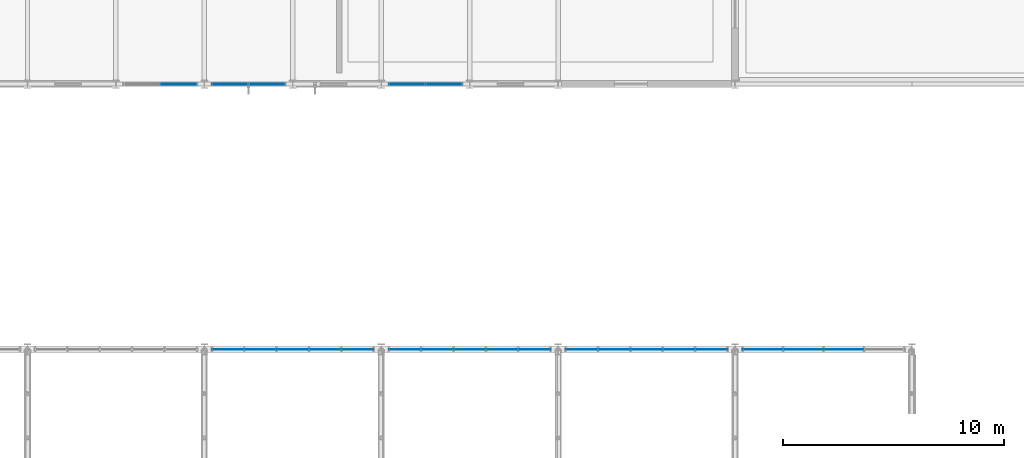
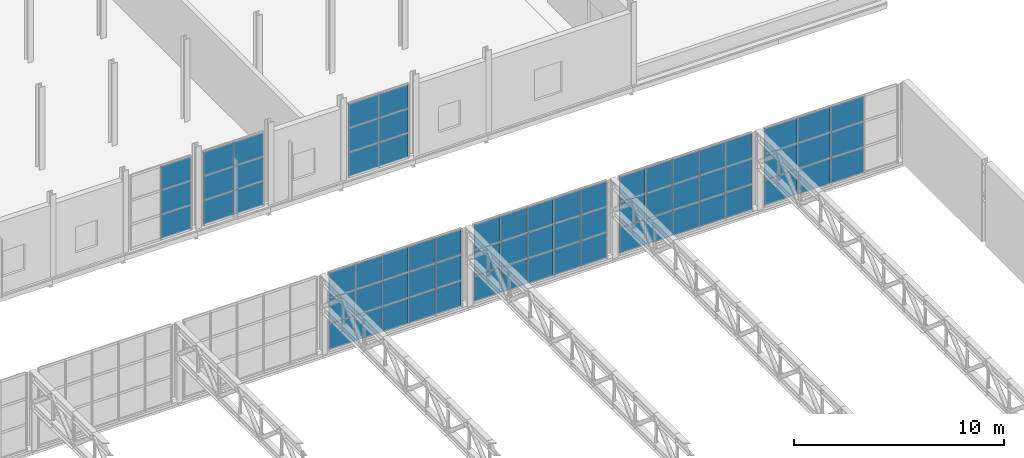
# One storey, part 116 of 143: 69 plates, 7 elements without a shape of their own.
"""IFC4 building model written with IfcOpenShell, lengths in metres."""

from ifc_helpers import new_model, si_unit, derived_unit, direction, frame, origin, origin_2d, place, context, subcontext, project, spatial, rectangle, extrude, material, layer, layer_set, type_object, element, aggregate, save


model = new_model("IFC4")

# Units and contexts
model_context = context("Model", 3, precision=1e-05, world=origin(), true_north=direction((0.0, 1.0)))
body_context = subcontext(model_context, "Body", "Model", "MODEL_VIEW")
ifc_project = project(units=[si_unit("LENGTHUNIT", "METRE"), si_unit("AREAUNIT", "SQUARE_METRE"), si_unit("VOLUMEUNIT", "CUBIC_METRE"), si_unit("PLANEANGLEUNIT", "RADIAN"), si_unit("MASSUNIT", "GRAM", prefix="KILO"), derived_unit("THERMALTRANSMITTANCEUNIT", [(si_unit("POWERUNIT", "WATT"), 1), (si_unit("LENGTHUNIT", "METRE"), -2), (si_unit("THERMODYNAMICTEMPERATUREUNIT", "KELVIN"), -1)])], contexts=[model_context])

# Site, building, storey
site_placement = place(None, origin())
site = spatial("IfcSite", under=ifc_project, at=site_placement, CompositionType="ELEMENT")
building_placement = place(site_placement, origin())
building = spatial("IfcBuilding", under=site, at=building_placement, Name="Keldorne Ridge Multi-Sports Centre", CompositionType="ELEMENT")
storey_placement = place(building_placement, frame((0.0, 0.0, 4.800048828125)))
storey = spatial("IfcBuildingStorey", under=building, at=storey_placement, Name="L01", CompositionType="ELEMENT", Elevation=4.800048828125)

# Curtain wall, plates
ifc_material_1 = material(Name="Anodized aluminium", Category="aluminium")
curtain_wall_type_1 = type_object("IfcCurtainWallType", Name="CW-CW-04", PredefinedType="NOTDEFINED", material=ifc_material_1)
curtain_wall_1_placement = place(storey_placement, origin())
curtain_wall_1 = element("IfcCurtainWall", 1, at=curtain_wall_1_placement, inside=storey, type_object=curtain_wall_type_1, Name="Lower Courts north clerestory 116", PredefinedType="NOTDEFINED")
ifc_material_2 = material(Name="Double low-e insulated glazing", Category="glass")
ifc_layer = layer(ifc_material_2, 0.035888671875)
ifc_layer_set = layer_set([ifc_layer])
plate_type = type_object("IfcPlateType", Name="PLT-GL-01", PredefinedType="CURTAIN_PANEL", material=ifc_layer_set)
plate_1_placement = place(storey_placement, frame((142.927978515625, 54.0, 0.02001953125), z_axis=(0.0, 0.0, 1.0), x_axis=(-1.0, 0.0, 0.0)))
plate_1 = element("IfcPlate", 2, at=plate_1_placement, type_object=plate_type, Name="CW-116 glazed panel 1.1", PredefinedType="CURTAIN_PANEL", context=body_context, shape_type="SweptSolid", body=[
    extrude(rectangle(XDim=1.424072265625, YDim=0.035888671875, at=origin_2d()), origin(), (0.0, 0.0, 1.0), 1.4599609375),
])
plate_2_placement = place(storey_placement, frame((142.927978515625, 54.0, 1.52001953125), z_axis=(0.0, 0.0, 1.0), x_axis=(-1.0, 0.0, 0.0)))
plate_2 = element("IfcPlate", 3, at=plate_2_placement, type_object=plate_type, Name="CW-116 glazed panel 1.2", PredefinedType="CURTAIN_PANEL", context=body_context, shape_type="SweptSolid", body=[
    extrude(rectangle(XDim=1.424072265625, YDim=0.035888671875, at=origin_2d()), origin(), (0.0, 0.0, 1.0), 1.4599609375),
])
plate_3_placement = place(storey_placement, frame((142.927978515625, 54.0, 3.02001953125), z_axis=(0.0, 0.0, 1.0), x_axis=(-1.0, 0.0, 0.0)))
plate_3 = element("IfcPlate", 4, at=plate_3_placement, type_object=plate_type, Name="CW-116 glazed panel 1.3", PredefinedType="CURTAIN_PANEL", context=body_context, shape_type="SweptSolid", body=[
    extrude(rectangle(XDim=1.424072265625, YDim=0.035888671875, at=origin_2d()), origin(), (0.0, 0.0, 1.0), 1.4599609375),
])
plate_4_placement = place(storey_placement, frame((141.464111328125, 54.0, 0.02001953125), z_axis=(0.0, 0.0, 1.0), x_axis=(-1.0, 0.0, 0.0)))
plate_4 = element("IfcPlate", 5, at=plate_4_placement, type_object=plate_type, Name="CW-116 glazed panel 2.1", PredefinedType="CURTAIN_PANEL", context=body_context, shape_type="SweptSolid", body=[
    extrude(rectangle(XDim=1.424072265625, YDim=0.035888671875, at=origin_2d()), origin(), (0.0, 0.0, 1.0), 1.4599609375),
])
plate_5_placement = place(storey_placement, frame((141.464111328125, 54.0, 1.52001953125), z_axis=(0.0, 0.0, 1.0), x_axis=(-1.0, 0.0, 0.0)))
plate_5 = element("IfcPlate", 6, at=plate_5_placement, type_object=plate_type, Name="CW-116 glazed panel 2.2", PredefinedType="CURTAIN_PANEL", context=body_context, shape_type="SweptSolid", body=[
    extrude(rectangle(XDim=1.424072265625, YDim=0.035888671875, at=origin_2d()), origin(), (0.0, 0.0, 1.0), 1.4599609375),
])
plate_6_placement = place(storey_placement, frame((141.464111328125, 54.0, 3.02001953125), z_axis=(0.0, 0.0, 1.0), x_axis=(-1.0, 0.0, 0.0)))
plate_6 = element("IfcPlate", 7, at=plate_6_placement, type_object=plate_type, Name="CW-116 glazed panel 2.3", PredefinedType="CURTAIN_PANEL", context=body_context, shape_type="SweptSolid", body=[
    extrude(rectangle(XDim=1.424072265625, YDim=0.035888671875, at=origin_2d()), origin(), (0.0, 0.0, 1.0), 1.4599609375),
])
plate_7_placement = place(storey_placement, frame((140.0, 54.0, 0.02001953125), z_axis=(0.0, 0.0, 1.0), x_axis=(-1.0, 0.0, 0.0)))
plate_7 = element("IfcPlate", 8, at=plate_7_placement, type_object=plate_type, Name="CW-116 glazed panel 3.1", PredefinedType="CURTAIN_PANEL", context=body_context, shape_type="SweptSolid", body=[
    extrude(rectangle(XDim=1.424072265625, YDim=0.035888671875, at=origin_2d()), origin(), (0.0, 0.0, 1.0), 1.4599609375),
])
plate_8_placement = place(storey_placement, frame((140.0, 54.0, 1.52001953125), z_axis=(0.0, 0.0, 1.0), x_axis=(-1.0, 0.0, 0.0)))
plate_8 = element("IfcPlate", 9, at=plate_8_placement, type_object=plate_type, Name="CW-116 glazed panel 3.2", PredefinedType="CURTAIN_PANEL", context=body_context, shape_type="SweptSolid", body=[
    extrude(rectangle(XDim=1.424072265625, YDim=0.035888671875, at=origin_2d()), origin(), (0.0, 0.0, 1.0), 1.4599609375),
])
plate_9_placement = place(storey_placement, frame((140.0, 54.0, 3.02001953125), z_axis=(0.0, 0.0, 1.0), x_axis=(-1.0, 0.0, 0.0)))
plate_9 = element("IfcPlate", 10, at=plate_9_placement, type_object=plate_type, Name="CW-116 glazed panel 3.3", PredefinedType="CURTAIN_PANEL", context=body_context, shape_type="SweptSolid", body=[
    extrude(rectangle(XDim=1.424072265625, YDim=0.035888671875, at=origin_2d()), origin(), (0.0, 0.0, 1.0), 1.4599609375),
])
plate_10_placement = place(storey_placement, frame((138.535888671875, 54.0, 0.02001953125), z_axis=(0.0, 0.0, 1.0), x_axis=(-1.0, 0.0, 0.0)))
plate_10 = element("IfcPlate", 11, at=plate_10_placement, type_object=plate_type, Name="CW-116 glazed panel 4.1", PredefinedType="CURTAIN_PANEL", context=body_context, shape_type="SweptSolid", body=[
    extrude(rectangle(XDim=1.424072265625, YDim=0.035888671875, at=origin_2d()), origin(), (0.0, 0.0, 1.0), 1.4599609375),
])
plate_11_placement = place(storey_placement, frame((138.535888671875, 54.0, 1.52001953125), z_axis=(0.0, 0.0, 1.0), x_axis=(-1.0, 0.0, 0.0)))
plate_11 = element("IfcPlate", 12, at=plate_11_placement, type_object=plate_type, Name="CW-116 glazed panel 4.2", PredefinedType="CURTAIN_PANEL", context=body_context, shape_type="SweptSolid", body=[
    extrude(rectangle(XDim=1.424072265625, YDim=0.035888671875, at=origin_2d()), origin(), (0.0, 0.0, 1.0), 1.4599609375),
])
plate_12_placement = place(storey_placement, frame((138.535888671875, 54.0, 3.02001953125), z_axis=(0.0, 0.0, 1.0), x_axis=(-1.0, 0.0, 0.0)))
plate_12 = element("IfcPlate", 13, at=plate_12_placement, type_object=plate_type, Name="CW-116 glazed panel 4.3", PredefinedType="CURTAIN_PANEL", context=body_context, shape_type="SweptSolid", body=[
    extrude(rectangle(XDim=1.424072265625, YDim=0.035888671875, at=origin_2d()), origin(), (0.0, 0.0, 1.0), 1.4599609375),
])
plate_13_placement = place(storey_placement, frame((137.072021484375, 54.0, 0.02001953125), z_axis=(0.0, 0.0, 1.0), x_axis=(-1.0, 0.0, 0.0)))
plate_13 = element("IfcPlate", 14, at=plate_13_placement, type_object=plate_type, Name="CW-116 glazed panel 5.1", PredefinedType="CURTAIN_PANEL", context=body_context, shape_type="SweptSolid", body=[
    extrude(rectangle(XDim=1.424072265625, YDim=0.035888671875, at=origin_2d()), origin(), (0.0, 0.0, 1.0), 1.4599609375),
])
plate_14_placement = place(storey_placement, frame((137.072021484375, 54.0, 1.52001953125), z_axis=(0.0, 0.0, 1.0), x_axis=(-1.0, 0.0, 0.0)))
plate_14 = element("IfcPlate", 15, at=plate_14_placement, type_object=plate_type, Name="CW-116 glazed panel 5.2", PredefinedType="CURTAIN_PANEL", context=body_context, shape_type="SweptSolid", body=[
    extrude(rectangle(XDim=1.424072265625, YDim=0.035888671875, at=origin_2d()), origin(), (0.0, 0.0, 1.0), 1.4599609375),
])
plate_15_placement = place(storey_placement, frame((137.072021484375, 54.0, 3.02001953125), z_axis=(0.0, 0.0, 1.0), x_axis=(-1.0, 0.0, 0.0)))
plate_15 = element("IfcPlate", 16, at=plate_15_placement, type_object=plate_type, Name="CW-116 glazed panel 5.3", PredefinedType="CURTAIN_PANEL", context=body_context, shape_type="SweptSolid", body=[
    extrude(rectangle(XDim=1.424072265625, YDim=0.035888671875, at=origin_2d()), origin(), (0.0, 0.0, 1.0), 1.4599609375),
])
aggregate(curtain_wall_1, [plate_1, plate_2, plate_3, plate_4, plate_5, plate_6, plate_7, plate_8, plate_9, plate_10, plate_11, plate_12, plate_13, plate_14, plate_15])

curtain_wall_type_2 = type_object("IfcCurtainWallType", Name="CW-CW-02", PredefinedType="NOTDEFINED", material=ifc_material_1)
curtain_wall_2_placement = place(storey_placement, origin())
curtain_wall_2 = element("IfcCurtainWall", 17, at=curtain_wall_2_placement, inside=storey, type_object=curtain_wall_type_2, Name="Lower Courts north clerestory 122", PredefinedType="NOTDEFINED")
plate_16_placement = place(storey_placement, frame((150.927978515625, 54.0, 0.02001953125), z_axis=(0.0, 0.0, 1.0), x_axis=(-1.0, 0.0, 0.0)))
plate_16 = element("IfcPlate", 18, at=plate_16_placement, type_object=plate_type, Name="CW-122 glazed panel 1.1", PredefinedType="CURTAIN_PANEL", context=body_context, shape_type="SweptSolid", body=[
    extrude(rectangle(XDim=1.424072265625, YDim=0.035888671875, at=origin_2d()), origin(), (0.0, 0.0, 1.0), 1.4599609375),
])
plate_17_placement = place(storey_placement, frame((150.927978515625, 54.0, 1.52001953125), z_axis=(0.0, 0.0, 1.0), x_axis=(-1.0, 0.0, 0.0)))
plate_17 = element("IfcPlate", 19, at=plate_17_placement, type_object=plate_type, Name="CW-122 glazed panel 1.2", PredefinedType="CURTAIN_PANEL", context=body_context, shape_type="SweptSolid", body=[
    extrude(rectangle(XDim=1.424072265625, YDim=0.035888671875, at=origin_2d()), origin(), (0.0, 0.0, 1.0), 1.4599609375),
])
plate_18_placement = place(storey_placement, frame((150.927978515625, 54.0, 3.02001953125), z_axis=(0.0, 0.0, 1.0), x_axis=(-1.0, 0.0, 0.0)))
plate_18 = element("IfcPlate", 20, at=plate_18_placement, type_object=plate_type, Name="CW-122 glazed panel 1.3", PredefinedType="CURTAIN_PANEL", context=body_context, shape_type="SweptSolid", body=[
    extrude(rectangle(XDim=1.424072265625, YDim=0.035888671875, at=origin_2d()), origin(), (0.0, 0.0, 1.0), 1.4599609375),
])
plate_19_placement = place(storey_placement, frame((149.464111328125, 54.0, 0.02001953125), z_axis=(0.0, 0.0, 1.0), x_axis=(-1.0, 0.0, 0.0)))
plate_19 = element("IfcPlate", 21, at=plate_19_placement, type_object=plate_type, Name="CW-122 glazed panel 2.1", PredefinedType="CURTAIN_PANEL", context=body_context, shape_type="SweptSolid", body=[
    extrude(rectangle(XDim=1.424072265625, YDim=0.035888671875, at=origin_2d()), origin(), (0.0, 0.0, 1.0), 1.4599609375),
])
plate_20_placement = place(storey_placement, frame((149.464111328125, 54.0, 1.52001953125), z_axis=(0.0, 0.0, 1.0), x_axis=(-1.0, 0.0, 0.0)))
plate_20 = element("IfcPlate", 22, at=plate_20_placement, type_object=plate_type, Name="CW-122 glazed panel 2.2", PredefinedType="CURTAIN_PANEL", context=body_context, shape_type="SweptSolid", body=[
    extrude(rectangle(XDim=1.424072265625, YDim=0.035888671875, at=origin_2d()), origin(), (0.0, 0.0, 1.0), 1.4599609375),
])
plate_21_placement = place(storey_placement, frame((149.464111328125, 54.0, 3.02001953125), z_axis=(0.0, 0.0, 1.0), x_axis=(-1.0, 0.0, 0.0)))
plate_21 = element("IfcPlate", 23, at=plate_21_placement, type_object=plate_type, Name="CW-122 glazed panel 2.3", PredefinedType="CURTAIN_PANEL", context=body_context, shape_type="SweptSolid", body=[
    extrude(rectangle(XDim=1.424072265625, YDim=0.035888671875, at=origin_2d()), origin(), (0.0, 0.0, 1.0), 1.4599609375),
])
plate_22_placement = place(storey_placement, frame((148.0, 54.0, 0.02001953125), z_axis=(0.0, 0.0, 1.0), x_axis=(-1.0, 0.0, 0.0)))
plate_22 = element("IfcPlate", 24, at=plate_22_placement, type_object=plate_type, Name="CW-122 glazed panel 3.1", PredefinedType="CURTAIN_PANEL", context=body_context, shape_type="SweptSolid", body=[
    extrude(rectangle(XDim=1.424072265625, YDim=0.035888671875, at=origin_2d()), origin(), (0.0, 0.0, 1.0), 1.4599609375),
])
plate_23_placement = place(storey_placement, frame((148.0, 54.0, 1.52001953125), z_axis=(0.0, 0.0, 1.0), x_axis=(-1.0, 0.0, 0.0)))
plate_23 = element("IfcPlate", 25, at=plate_23_placement, type_object=plate_type, Name="CW-122 glazed panel 3.2", PredefinedType="CURTAIN_PANEL", context=body_context, shape_type="SweptSolid", body=[
    extrude(rectangle(XDim=1.424072265625, YDim=0.035888671875, at=origin_2d()), origin(), (0.0, 0.0, 1.0), 1.4599609375),
])
plate_24_placement = place(storey_placement, frame((148.0, 54.0, 3.02001953125), z_axis=(0.0, 0.0, 1.0), x_axis=(-1.0, 0.0, 0.0)))
plate_24 = element("IfcPlate", 26, at=plate_24_placement, type_object=plate_type, Name="CW-122 glazed panel 3.3", PredefinedType="CURTAIN_PANEL", context=body_context, shape_type="SweptSolid", body=[
    extrude(rectangle(XDim=1.424072265625, YDim=0.035888671875, at=origin_2d()), origin(), (0.0, 0.0, 1.0), 1.4599609375),
])
plate_25_placement = place(storey_placement, frame((146.535888671875, 54.0, 0.02001953125), z_axis=(0.0, 0.0, 1.0), x_axis=(-1.0, 0.0, 0.0)))
plate_25 = element("IfcPlate", 27, at=plate_25_placement, type_object=plate_type, Name="CW-122 glazed panel 4.1", PredefinedType="CURTAIN_PANEL", context=body_context, shape_type="SweptSolid", body=[
    extrude(rectangle(XDim=1.424072265625, YDim=0.035888671875, at=origin_2d()), origin(), (0.0, 0.0, 1.0), 1.4599609375),
])
plate_26_placement = place(storey_placement, frame((146.535888671875, 54.0, 1.52001953125), z_axis=(0.0, 0.0, 1.0), x_axis=(-1.0, 0.0, 0.0)))
plate_26 = element("IfcPlate", 28, at=plate_26_placement, type_object=plate_type, Name="CW-122 glazed panel 4.2", PredefinedType="CURTAIN_PANEL", context=body_context, shape_type="SweptSolid", body=[
    extrude(rectangle(XDim=1.424072265625, YDim=0.035888671875, at=origin_2d()), origin(), (0.0, 0.0, 1.0), 1.4599609375),
])
plate_27_placement = place(storey_placement, frame((146.535888671875, 54.0, 3.02001953125), z_axis=(0.0, 0.0, 1.0), x_axis=(-1.0, 0.0, 0.0)))
plate_27 = element("IfcPlate", 29, at=plate_27_placement, type_object=plate_type, Name="CW-122 glazed panel 4.3", PredefinedType="CURTAIN_PANEL", context=body_context, shape_type="SweptSolid", body=[
    extrude(rectangle(XDim=1.424072265625, YDim=0.035888671875, at=origin_2d()), origin(), (0.0, 0.0, 1.0), 1.4599609375),
])
plate_28_placement = place(storey_placement, frame((145.072021484375, 54.0, 0.02001953125), z_axis=(0.0, 0.0, 1.0), x_axis=(-1.0, 0.0, 0.0)))
plate_28 = element("IfcPlate", 30, at=plate_28_placement, type_object=plate_type, Name="CW-122 glazed panel 5.1", PredefinedType="CURTAIN_PANEL", context=body_context, shape_type="SweptSolid", body=[
    extrude(rectangle(XDim=1.424072265625, YDim=0.035888671875, at=origin_2d()), origin(), (0.0, 0.0, 1.0), 1.4599609375),
])
plate_29_placement = place(storey_placement, frame((145.072021484375, 54.0, 1.52001953125), z_axis=(0.0, 0.0, 1.0), x_axis=(-1.0, 0.0, 0.0)))
plate_29 = element("IfcPlate", 31, at=plate_29_placement, type_object=plate_type, Name="CW-122 glazed panel 5.2", PredefinedType="CURTAIN_PANEL", context=body_context, shape_type="SweptSolid", body=[
    extrude(rectangle(XDim=1.424072265625, YDim=0.035888671875, at=origin_2d()), origin(), (0.0, 0.0, 1.0), 1.4599609375),
])
plate_30_placement = place(storey_placement, frame((145.072021484375, 54.0, 3.02001953125), z_axis=(0.0, 0.0, 1.0), x_axis=(-1.0, 0.0, 0.0)))
plate_30 = element("IfcPlate", 32, at=plate_30_placement, type_object=plate_type, Name="CW-122 glazed panel 5.3", PredefinedType="CURTAIN_PANEL", context=body_context, shape_type="SweptSolid", body=[
    extrude(rectangle(XDim=1.424072265625, YDim=0.035888671875, at=origin_2d()), origin(), (0.0, 0.0, 1.0), 1.4599609375),
])
aggregate(curtain_wall_2, [plate_16, plate_17, plate_18, plate_19, plate_20, plate_21, plate_22, plate_23, plate_24, plate_25, plate_26, plate_27, plate_28, plate_29, plate_30])

curtain_wall_type_3 = type_object("IfcCurtainWallType", Name="CW-CW-01", PredefinedType="NOTDEFINED", material=ifc_material_1)
curtain_wall_3_placement = place(storey_placement, origin())
curtain_wall_3 = element("IfcCurtainWall", 33, at=curtain_wall_3_placement, inside=storey, type_object=curtain_wall_type_3, Name="Lower Courts north clerestory 129", PredefinedType="NOTDEFINED")
plate_31_placement = place(storey_placement, frame((158.927978515625, 54.0, 0.02001953125), z_axis=(0.0, 0.0, 1.0), x_axis=(-1.0, 0.0, 0.0)))
plate_31 = element("IfcPlate", 34, at=plate_31_placement, type_object=plate_type, Name="CW-129 glazed panel 1.1", PredefinedType="CURTAIN_PANEL", context=body_context, shape_type="SweptSolid", body=[
    extrude(rectangle(XDim=1.424072265625, YDim=0.035888671875, at=origin_2d()), origin(), (0.0, 0.0, 1.0), 1.4599609375),
])
plate_32_placement = place(storey_placement, frame((158.927978515625, 54.0, 1.52001953125), z_axis=(0.0, 0.0, 1.0), x_axis=(-1.0, 0.0, 0.0)))
plate_32 = element("IfcPlate", 35, at=plate_32_placement, type_object=plate_type, Name="CW-129 glazed panel 1.2", PredefinedType="CURTAIN_PANEL", context=body_context, shape_type="SweptSolid", body=[
    extrude(rectangle(XDim=1.424072265625, YDim=0.035888671875, at=origin_2d()), origin(), (0.0, 0.0, 1.0), 1.4599609375),
])
plate_33_placement = place(storey_placement, frame((158.927978515625, 54.0, 3.02001953125), z_axis=(0.0, 0.0, 1.0), x_axis=(-1.0, 0.0, 0.0)))
plate_33 = element("IfcPlate", 36, at=plate_33_placement, type_object=plate_type, Name="CW-129 glazed panel 1.3", PredefinedType="CURTAIN_PANEL", context=body_context, shape_type="SweptSolid", body=[
    extrude(rectangle(XDim=1.424072265625, YDim=0.035888671875, at=origin_2d()), origin(), (0.0, 0.0, 1.0), 1.4599609375),
])
plate_34_placement = place(storey_placement, frame((157.464111328125, 54.0, 0.02001953125), z_axis=(0.0, 0.0, 1.0), x_axis=(-1.0, 0.0, 0.0)))
plate_34 = element("IfcPlate", 37, at=plate_34_placement, type_object=plate_type, Name="CW-129 glazed panel 2.1", PredefinedType="CURTAIN_PANEL", context=body_context, shape_type="SweptSolid", body=[
    extrude(rectangle(XDim=1.424072265625, YDim=0.035888671875, at=origin_2d()), origin(), (0.0, 0.0, 1.0), 1.4599609375),
])
plate_35_placement = place(storey_placement, frame((157.464111328125, 54.0, 1.52001953125), z_axis=(0.0, 0.0, 1.0), x_axis=(-1.0, 0.0, 0.0)))
plate_35 = element("IfcPlate", 38, at=plate_35_placement, type_object=plate_type, Name="CW-129 glazed panel 2.2", PredefinedType="CURTAIN_PANEL", context=body_context, shape_type="SweptSolid", body=[
    extrude(rectangle(XDim=1.424072265625, YDim=0.035888671875, at=origin_2d()), origin(), (0.0, 0.0, 1.0), 1.4599609375),
])
plate_36_placement = place(storey_placement, frame((157.464111328125, 54.0, 3.02001953125), z_axis=(0.0, 0.0, 1.0), x_axis=(-1.0, 0.0, 0.0)))
plate_36 = element("IfcPlate", 39, at=plate_36_placement, type_object=plate_type, Name="CW-129 glazed panel 2.3", PredefinedType="CURTAIN_PANEL", context=body_context, shape_type="SweptSolid", body=[
    extrude(rectangle(XDim=1.424072265625, YDim=0.035888671875, at=origin_2d()), origin(), (0.0, 0.0, 1.0), 1.4599609375),
])
plate_37_placement = place(storey_placement, frame((156.0, 54.0, 0.02001953125), z_axis=(0.0, 0.0, 1.0), x_axis=(-1.0, 0.0, 0.0)))
plate_37 = element("IfcPlate", 40, at=plate_37_placement, type_object=plate_type, Name="CW-129 glazed panel 3.1", PredefinedType="CURTAIN_PANEL", context=body_context, shape_type="SweptSolid", body=[
    extrude(rectangle(XDim=1.424072265625, YDim=0.035888671875, at=origin_2d()), origin(), (0.0, 0.0, 1.0), 1.4599609375),
])
plate_38_placement = place(storey_placement, frame((156.0, 54.0, 1.52001953125), z_axis=(0.0, 0.0, 1.0), x_axis=(-1.0, 0.0, 0.0)))
plate_38 = element("IfcPlate", 41, at=plate_38_placement, type_object=plate_type, Name="CW-129 glazed panel 3.2", PredefinedType="CURTAIN_PANEL", context=body_context, shape_type="SweptSolid", body=[
    extrude(rectangle(XDim=1.424072265625, YDim=0.035888671875, at=origin_2d()), origin(), (0.0, 0.0, 1.0), 1.4599609375),
])
plate_39_placement = place(storey_placement, frame((156.0, 54.0, 3.02001953125), z_axis=(0.0, 0.0, 1.0), x_axis=(-1.0, 0.0, 0.0)))
plate_39 = element("IfcPlate", 42, at=plate_39_placement, type_object=plate_type, Name="CW-129 glazed panel 3.3", PredefinedType="CURTAIN_PANEL", context=body_context, shape_type="SweptSolid", body=[
    extrude(rectangle(XDim=1.424072265625, YDim=0.035888671875, at=origin_2d()), origin(), (0.0, 0.0, 1.0), 1.4599609375),
])
plate_40_placement = place(storey_placement, frame((154.535888671875, 54.0, 0.02001953125), z_axis=(0.0, 0.0, 1.0), x_axis=(-1.0, 0.0, 0.0)))
plate_40 = element("IfcPlate", 43, at=plate_40_placement, type_object=plate_type, Name="CW-129 glazed panel 4.1", PredefinedType="CURTAIN_PANEL", context=body_context, shape_type="SweptSolid", body=[
    extrude(rectangle(XDim=1.424072265625, YDim=0.035888671875, at=origin_2d()), origin(), (0.0, 0.0, 1.0), 1.4599609375),
])
plate_41_placement = place(storey_placement, frame((154.535888671875, 54.0, 1.52001953125), z_axis=(0.0, 0.0, 1.0), x_axis=(-1.0, 0.0, 0.0)))
plate_41 = element("IfcPlate", 44, at=plate_41_placement, type_object=plate_type, Name="CW-129 glazed panel 4.2", PredefinedType="CURTAIN_PANEL", context=body_context, shape_type="SweptSolid", body=[
    extrude(rectangle(XDim=1.424072265625, YDim=0.035888671875, at=origin_2d()), origin(), (0.0, 0.0, 1.0), 1.4599609375),
])
plate_42_placement = place(storey_placement, frame((154.535888671875, 54.0, 3.02001953125), z_axis=(0.0, 0.0, 1.0), x_axis=(-1.0, 0.0, 0.0)))
plate_42 = element("IfcPlate", 45, at=plate_42_placement, type_object=plate_type, Name="CW-129 glazed panel 4.3", PredefinedType="CURTAIN_PANEL", context=body_context, shape_type="SweptSolid", body=[
    extrude(rectangle(XDim=1.424072265625, YDim=0.035888671875, at=origin_2d()), origin(), (0.0, 0.0, 1.0), 1.4599609375),
])
plate_43_placement = place(storey_placement, frame((153.072021484375, 54.0, 0.02001953125), z_axis=(0.0, 0.0, 1.0), x_axis=(-1.0, 0.0, 0.0)))
plate_43 = element("IfcPlate", 46, at=plate_43_placement, type_object=plate_type, Name="CW-129 glazed panel 5.1", PredefinedType="CURTAIN_PANEL", context=body_context, shape_type="SweptSolid", body=[
    extrude(rectangle(XDim=1.424072265625, YDim=0.035888671875, at=origin_2d()), origin(), (0.0, 0.0, 1.0), 1.4599609375),
])
plate_44_placement = place(storey_placement, frame((153.072021484375, 54.0, 1.52001953125), z_axis=(0.0, 0.0, 1.0), x_axis=(-1.0, 0.0, 0.0)))
plate_44 = element("IfcPlate", 47, at=plate_44_placement, type_object=plate_type, Name="CW-129 glazed panel 5.2", PredefinedType="CURTAIN_PANEL", context=body_context, shape_type="SweptSolid", body=[
    extrude(rectangle(XDim=1.424072265625, YDim=0.035888671875, at=origin_2d()), origin(), (0.0, 0.0, 1.0), 1.4599609375),
])
plate_45_placement = place(storey_placement, frame((153.072021484375, 54.0, 3.02001953125), z_axis=(0.0, 0.0, 1.0), x_axis=(-1.0, 0.0, 0.0)))
plate_45 = element("IfcPlate", 48, at=plate_45_placement, type_object=plate_type, Name="CW-129 glazed panel 5.3", PredefinedType="CURTAIN_PANEL", context=body_context, shape_type="SweptSolid", body=[
    extrude(rectangle(XDim=1.424072265625, YDim=0.035888671875, at=origin_2d()), origin(), (0.0, 0.0, 1.0), 1.4599609375),
])
aggregate(curtain_wall_3, [plate_31, plate_32, plate_33, plate_34, plate_35, plate_36, plate_37, plate_38, plate_39, plate_40, plate_41, plate_42, plate_43, plate_44, plate_45])

curtain_wall_type_4 = type_object("IfcCurtainWallType", Name="CW-CW-08", PredefinedType="NOTDEFINED", material=ifc_material_1)
curtain_wall_4_placement = place(storey_placement, origin())
curtain_wall_4 = element("IfcCurtainWall", 49, at=curtain_wall_4_placement, inside=storey, type_object=curtain_wall_type_4, Name="Lower Courts north clerestory 136", PredefinedType="NOTDEFINED")
plate_46_placement = place(storey_placement, frame((164.9150390625, 54.0, 0.02001953125), z_axis=(0.0, 0.0, 1.0), x_axis=(-1.0, 0.0, 0.0)))
plate_46 = element("IfcPlate", 50, at=plate_46_placement, type_object=plate_type, Name="CW-136 glazed panel 2.1", PredefinedType="CURTAIN_PANEL", context=body_context, shape_type="SweptSolid", body=[
    extrude(rectangle(XDim=1.7900390625, YDim=0.035888671875, at=origin_2d()), origin(), (0.0, 0.0, 1.0), 1.4599609375),
])
plate_47_placement = place(storey_placement, frame((164.9150390625, 54.0, 1.52001953125), z_axis=(0.0, 0.0, 1.0), x_axis=(-1.0, 0.0, 0.0)))
plate_47 = element("IfcPlate", 51, at=plate_47_placement, type_object=plate_type, Name="CW-136 glazed panel 2.2", PredefinedType="CURTAIN_PANEL", context=body_context, shape_type="SweptSolid", body=[
    extrude(rectangle(XDim=1.7900390625, YDim=0.035888671875, at=origin_2d()), origin(), (0.0, 0.0, 1.0), 1.4599609375),
])
plate_48_placement = place(storey_placement, frame((164.9150390625, 54.0, 3.02001953125), z_axis=(0.0, 0.0, 1.0), x_axis=(-1.0, 0.0, 0.0)))
plate_48 = element("IfcPlate", 52, at=plate_48_placement, type_object=plate_type, Name="CW-136 glazed panel 2.3", PredefinedType="CURTAIN_PANEL", context=body_context, shape_type="SweptSolid", body=[
    extrude(rectangle(XDim=1.7900390625, YDim=0.035888671875, at=origin_2d()), origin(), (0.0, 0.0, 1.0), 1.4599609375),
])
plate_49_placement = place(storey_placement, frame((163.0849609375, 54.0, 0.02001953125), z_axis=(0.0, 0.0, 1.0), x_axis=(-1.0, 0.0, 0.0)))
plate_49 = element("IfcPlate", 53, at=plate_49_placement, type_object=plate_type, Name="CW-136 glazed panel 3.1", PredefinedType="CURTAIN_PANEL", context=body_context, shape_type="SweptSolid", body=[
    extrude(rectangle(XDim=1.7900390625, YDim=0.035888671875, at=origin_2d()), origin(), (0.0, 0.0, 1.0), 1.4599609375),
])
plate_50_placement = place(storey_placement, frame((163.0849609375, 54.0, 1.52001953125), z_axis=(0.0, 0.0, 1.0), x_axis=(-1.0, 0.0, 0.0)))
plate_50 = element("IfcPlate", 54, at=plate_50_placement, type_object=plate_type, Name="CW-136 glazed panel 3.2", PredefinedType="CURTAIN_PANEL", context=body_context, shape_type="SweptSolid", body=[
    extrude(rectangle(XDim=1.7900390625, YDim=0.035888671875, at=origin_2d()), origin(), (0.0, 0.0, 1.0), 1.4599609375),
])
plate_51_placement = place(storey_placement, frame((163.0849609375, 54.0, 3.02001953125), z_axis=(0.0, 0.0, 1.0), x_axis=(-1.0, 0.0, 0.0)))
plate_51 = element("IfcPlate", 55, at=plate_51_placement, type_object=plate_type, Name="CW-136 glazed panel 3.3", PredefinedType="CURTAIN_PANEL", context=body_context, shape_type="SweptSolid", body=[
    extrude(rectangle(XDim=1.7900390625, YDim=0.035888671875, at=origin_2d()), origin(), (0.0, 0.0, 1.0), 1.4599609375),
])
plate_52_placement = place(storey_placement, frame((161.2548828125, 54.0, 0.02001953125), z_axis=(0.0, 0.0, 1.0), x_axis=(-1.0, 0.0, 0.0)))
plate_52 = element("IfcPlate", 56, at=plate_52_placement, type_object=plate_type, Name="CW-136 glazed panel 4.1", PredefinedType="CURTAIN_PANEL", context=body_context, shape_type="SweptSolid", body=[
    extrude(rectangle(XDim=1.7900390625, YDim=0.035888671875, at=origin_2d()), origin(), (0.0, 0.0, 1.0), 1.4599609375),
])
plate_53_placement = place(storey_placement, frame((161.2548828125, 54.0, 1.52001953125), z_axis=(0.0, 0.0, 1.0), x_axis=(-1.0, 0.0, 0.0)))
plate_53 = element("IfcPlate", 57, at=plate_53_placement, type_object=plate_type, Name="CW-136 glazed panel 4.2", PredefinedType="CURTAIN_PANEL", context=body_context, shape_type="SweptSolid", body=[
    extrude(rectangle(XDim=1.7900390625, YDim=0.035888671875, at=origin_2d()), origin(), (0.0, 0.0, 1.0), 1.4599609375),
])
plate_54_placement = place(storey_placement, frame((161.2548828125, 54.0, 3.02001953125), z_axis=(0.0, 0.0, 1.0), x_axis=(-1.0, 0.0, 0.0)))
plate_54 = element("IfcPlate", 58, at=plate_54_placement, type_object=plate_type, Name="CW-136 glazed panel 4.3", PredefinedType="CURTAIN_PANEL", context=body_context, shape_type="SweptSolid", body=[
    extrude(rectangle(XDim=1.7900390625, YDim=0.035888671875, at=origin_2d()), origin(), (0.0, 0.0, 1.0), 1.4599609375),
])
aggregate(curtain_wall_4, [plate_46, plate_47, plate_48, plate_49, plate_50, plate_51, plate_52, plate_53, plate_54])

curtain_wall_5_placement = place(storey_placement, origin())
curtain_wall_5 = element("IfcCurtainWall", 59, at=curtain_wall_5_placement, inside=storey, type_object=curtain_wall_type_1, Name="East Wing L01 south curtain wall 140", PredefinedType="NOTDEFINED")
plate_55_placement = place(storey_placement, frame((134.830078125, 66.0, 0.02001953125), z_axis=(0.0, 0.0, 1.0), x_axis=(1.0, 0.0, 0.0)))
plate_55 = element("IfcPlate", 60, at=plate_55_placement, type_object=plate_type, Name="CW-140 glazed panel 2.1", PredefinedType="CURTAIN_PANEL", context=body_context, shape_type="SweptSolid", body=[
    extrude(rectangle(XDim=1.6201171875, YDim=0.035888671875, at=origin_2d()), origin(), (0.0, 0.0, 1.0), 1.376708984375),
])
plate_56_placement = place(storey_placement, frame((134.830078125, 66.0, 1.4365234375), z_axis=(0.0, 0.0, 1.0), x_axis=(1.0, 0.0, 0.0)))
plate_56 = element("IfcPlate", 61, at=plate_56_placement, type_object=plate_type, Name="CW-140 glazed panel 2.2", PredefinedType="CURTAIN_PANEL", context=body_context, shape_type="SweptSolid", body=[
    extrude(rectangle(XDim=1.6201171875, YDim=0.035888671875, at=origin_2d()), origin(), (0.0, 0.0, 1.0), 1.376708984375),
])
plate_57_placement = place(storey_placement, frame((134.830078125, 66.0, 2.853515625), z_axis=(0.0, 0.0, 1.0), x_axis=(1.0, 0.0, 0.0)))
plate_57 = element("IfcPlate", 62, at=plate_57_placement, type_object=plate_type, Name="CW-140 glazed panel 2.3", PredefinedType="CURTAIN_PANEL", context=body_context, shape_type="SweptSolid", body=[
    extrude(rectangle(XDim=1.6201171875, YDim=0.035888671875, at=origin_2d()), origin(), (0.0, 0.0, 1.0), 1.376708984375),
])
aggregate(curtain_wall_5, [plate_55, plate_56, plate_57])

curtain_wall_type_5 = type_object("IfcCurtainWallType", Name="CW-CW-05", PredefinedType="NOTDEFINED", material=ifc_material_1)
curtain_wall_6_placement = place(storey_placement, origin())
curtain_wall_6 = element("IfcCurtainWall", 63, at=curtain_wall_6_placement, inside=storey, type_object=curtain_wall_type_5, Name="East Wing L01 south curtain wall 141", PredefinedType="NOTDEFINED")
plate_58_placement = place(storey_placement, frame((137.169921875, 66.0, 0.02001953125), z_axis=(0.0, 0.0, 1.0), x_axis=(1.0, 0.0, 0.0)))
plate_58 = element("IfcPlate", 64, at=plate_58_placement, type_object=plate_type, Name="CW-141 glazed panel 1.1", PredefinedType="CURTAIN_PANEL", context=body_context, shape_type="SweptSolid", body=[
    extrude(rectangle(XDim=1.6201171875, YDim=0.035888671875, at=origin_2d()), origin(), (0.0, 0.0, 1.0), 1.376708984375),
])
plate_59_placement = place(storey_placement, frame((137.169921875, 66.0, 1.4365234375), z_axis=(0.0, 0.0, 1.0), x_axis=(1.0, 0.0, 0.0)))
plate_59 = element("IfcPlate", 65, at=plate_59_placement, type_object=plate_type, Name="CW-141 glazed panel 1.2", PredefinedType="CURTAIN_PANEL", context=body_context, shape_type="SweptSolid", body=[
    extrude(rectangle(XDim=1.6201171875, YDim=0.035888671875, at=origin_2d()), origin(), (0.0, 0.0, 1.0), 1.376708984375),
])
plate_60_placement = place(storey_placement, frame((137.169921875, 66.0, 2.853515625), z_axis=(0.0, 0.0, 1.0), x_axis=(1.0, 0.0, 0.0)))
plate_60 = element("IfcPlate", 66, at=plate_60_placement, type_object=plate_type, Name="CW-141 glazed panel 1.3", PredefinedType="CURTAIN_PANEL", context=body_context, shape_type="SweptSolid", body=[
    extrude(rectangle(XDim=1.6201171875, YDim=0.035888671875, at=origin_2d()), origin(), (0.0, 0.0, 1.0), 1.376708984375),
])
plate_61_placement = place(storey_placement, frame((138.830078125, 66.0, 0.02001953125), z_axis=(0.0, 0.0, 1.0), x_axis=(1.0, 0.0, 0.0)))
plate_61 = element("IfcPlate", 67, at=plate_61_placement, type_object=plate_type, Name="CW-141 glazed panel 2.1", PredefinedType="CURTAIN_PANEL", context=body_context, shape_type="SweptSolid", body=[
    extrude(rectangle(XDim=1.6201171875, YDim=0.035888671875, at=origin_2d()), origin(), (0.0, 0.0, 1.0), 1.376708984375),
])
plate_62_placement = place(storey_placement, frame((138.830078125, 66.0, 1.4365234375), z_axis=(0.0, 0.0, 1.0), x_axis=(1.0, 0.0, 0.0)))
plate_62 = element("IfcPlate", 68, at=plate_62_placement, type_object=plate_type, Name="CW-141 glazed panel 2.2", PredefinedType="CURTAIN_PANEL", context=body_context, shape_type="SweptSolid", body=[
    extrude(rectangle(XDim=1.6201171875, YDim=0.035888671875, at=origin_2d()), origin(), (0.0, 0.0, 1.0), 1.376708984375),
])
plate_63_placement = place(storey_placement, frame((138.830078125, 66.0, 2.853515625), z_axis=(0.0, 0.0, 1.0), x_axis=(1.0, 0.0, 0.0)))
plate_63 = element("IfcPlate", 69, at=plate_63_placement, type_object=plate_type, Name="CW-141 glazed panel 2.3", PredefinedType="CURTAIN_PANEL", context=body_context, shape_type="SweptSolid", body=[
    extrude(rectangle(XDim=1.6201171875, YDim=0.035888671875, at=origin_2d()), origin(), (0.0, 0.0, 1.0), 1.376708984375),
])
aggregate(curtain_wall_6, [plate_58, plate_59, plate_60, plate_61, plate_62, plate_63])

curtain_wall_type_6 = type_object("IfcCurtainWallType", Name="CW-CW-06", PredefinedType="NOTDEFINED", material=ifc_material_1)
curtain_wall_7_placement = place(storey_placement, origin())
curtain_wall_7 = element("IfcCurtainWall", 70, at=curtain_wall_7_placement, inside=storey, type_object=curtain_wall_type_6, Name="East Wing L01 south curtain wall 142", PredefinedType="NOTDEFINED")
plate_64_placement = place(storey_placement, frame((145.169921875, 66.0, 0.02001953125), z_axis=(0.0, 0.0, 1.0), x_axis=(1.0, 0.0, 0.0)))
plate_64 = element("IfcPlate", 71, at=plate_64_placement, type_object=plate_type, Name="CW-142 glazed panel 1.1", PredefinedType="CURTAIN_PANEL", context=body_context, shape_type="SweptSolid", body=[
    extrude(rectangle(XDim=1.6201171875, YDim=0.035888671875, at=origin_2d()), origin(), (0.0, 0.0, 1.0), 1.376708984375),
])
plate_65_placement = place(storey_placement, frame((145.169921875, 66.0, 1.4365234375), z_axis=(0.0, 0.0, 1.0), x_axis=(1.0, 0.0, 0.0)))
plate_65 = element("IfcPlate", 72, at=plate_65_placement, type_object=plate_type, Name="CW-142 glazed panel 1.2", PredefinedType="CURTAIN_PANEL", context=body_context, shape_type="SweptSolid", body=[
    extrude(rectangle(XDim=1.6201171875, YDim=0.035888671875, at=origin_2d()), origin(), (0.0, 0.0, 1.0), 1.376708984375),
])
plate_66_placement = place(storey_placement, frame((145.169921875, 66.0, 2.853515625), z_axis=(0.0, 0.0, 1.0), x_axis=(1.0, 0.0, 0.0)))
plate_66 = element("IfcPlate", 73, at=plate_66_placement, type_object=plate_type, Name="CW-142 glazed panel 1.3", PredefinedType="CURTAIN_PANEL", context=body_context, shape_type="SweptSolid", body=[
    extrude(rectangle(XDim=1.6201171875, YDim=0.035888671875, at=origin_2d()), origin(), (0.0, 0.0, 1.0), 1.376708984375),
])
plate_67_placement = place(storey_placement, frame((146.830078125, 66.0, 0.02001953125), z_axis=(0.0, 0.0, 1.0), x_axis=(1.0, 0.0, 0.0)))
plate_67 = element("IfcPlate", 74, at=plate_67_placement, type_object=plate_type, Name="CW-142 glazed panel 2.1", PredefinedType="CURTAIN_PANEL", context=body_context, shape_type="SweptSolid", body=[
    extrude(rectangle(XDim=1.6201171875, YDim=0.035888671875, at=origin_2d()), origin(), (0.0, 0.0, 1.0), 1.376708984375),
])
plate_68_placement = place(storey_placement, frame((146.830078125, 66.0, 1.4365234375), z_axis=(0.0, 0.0, 1.0), x_axis=(1.0, 0.0, 0.0)))
plate_68 = element("IfcPlate", 75, at=plate_68_placement, type_object=plate_type, Name="CW-142 glazed panel 2.2", PredefinedType="CURTAIN_PANEL", context=body_context, shape_type="SweptSolid", body=[
    extrude(rectangle(XDim=1.6201171875, YDim=0.035888671875, at=origin_2d()), origin(), (0.0, 0.0, 1.0), 1.376708984375),
])
plate_69_placement = place(storey_placement, frame((146.830078125, 66.0, 2.853515625), z_axis=(0.0, 0.0, 1.0), x_axis=(1.0, 0.0, 0.0)))
plate_69 = element("IfcPlate", 76, at=plate_69_placement, type_object=plate_type, Name="CW-142 glazed panel 2.3", PredefinedType="CURTAIN_PANEL", context=body_context, shape_type="SweptSolid", body=[
    extrude(rectangle(XDim=1.6201171875, YDim=0.035888671875, at=origin_2d()), origin(), (0.0, 0.0, 1.0), 1.376708984375),
])
aggregate(curtain_wall_7, [plate_64, plate_65, plate_66, plate_67, plate_68, plate_69])

save(model, "model.ifc")
